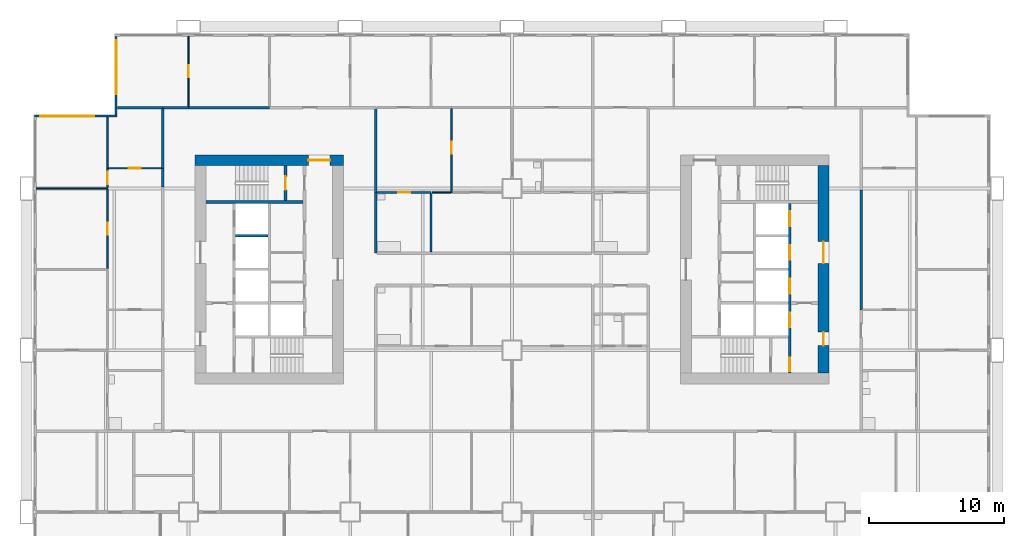
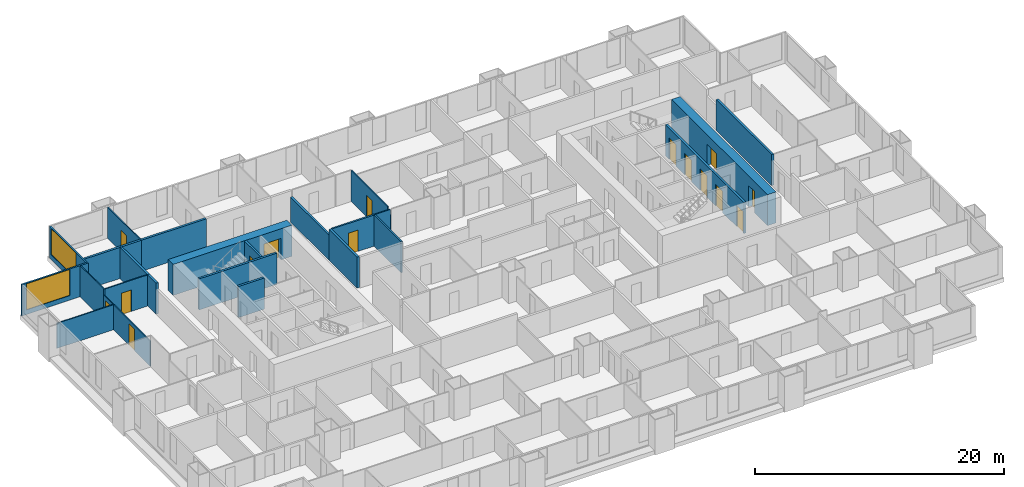
# One storey, part 8 of 14: 27 walls, 15 doors, 2 windows, 17 openings.
"""IFC4 building model written with IfcOpenShell, lengths in metres."""

from ifc_helpers import new_model, si_unit, direction, frame, frame_2d, origin, place, context, subcontext, project, spatial, rectangle, extrude, material, layer, layer_set, type_object, element, fill, save


model = new_model("IFC4")

# Units and contexts
model_context = context("Model", 3, precision=1e-05, world=origin(), true_north=direction((0.0, 1.0)))
body_context = subcontext(model_context, "Body", "Model", "MODEL_VIEW")
ifc_project = project(units=[si_unit("LENGTHUNIT", "METRE"), si_unit("AREAUNIT", "SQUARE_METRE"), si_unit("VOLUMEUNIT", "CUBIC_METRE"), si_unit("PLANEANGLEUNIT", "RADIAN"), si_unit("MASSUNIT", "GRAM", prefix="KILO")], contexts=[model_context])

# Site, building, storey
site_placement = place(None, origin())
site = spatial("IfcSite", under=ifc_project, at=site_placement, CompositionType="ELEMENT")
building_placement = place(site_placement, origin())
building = spatial("IfcBuilding", under=site, at=building_placement, Name="Kitamizu Gate Tower and Museum", CompositionType="ELEMENT")
storey_placement = place(building_placement, frame((0.0, 0.0, 54.14990234375)))
storey = spatial("IfcBuildingStorey", under=building, at=storey_placement, Name="L12", CompositionType="ELEMENT", Elevation=54.14990234375)

# Wall, opening, door
ifc_material_1 = material(Name="Concrete Fc60", Category="concrete")
ifc_layer_1 = layer(ifc_material_1, 0.800048828125)
ifc_layer_set_1 = layer_set([ifc_layer_1], Name="Concrete Fc60")
wall_type_1 = type_object("IfcWallType", Name="Core wall 800", PredefinedType="SHEAR", material=ifc_layer_set_1)
wall_1_placement = place(storey_placement, frame((12.5, 38.10009765625, 0.0), z_axis=(0.0, 0.0, 1.0), x_axis=(1.0, 0.0, 0.0)))
wall_1 = element("IfcWall", 1, at=wall_1_placement, inside=storey, type_object=wall_type_1, Name="Core wall WN", PredefinedType="SHEAR", context=body_context, shape_type="SweptSolid", body=[
    extrude(rectangle(XDim=11.0, YDim=0.800048828125, at=frame_2d((5.5, 0.0))), origin(), (0.0, 0.0, 1.0), 3.050048828125),
])
opening_1_placement = place(wall_1_placement, frame((8.39990234375, 0.0, 0.0)))
opening_1 = element("IfcOpeningElement", 2, at=opening_1_placement, cuts=wall_1, Name="Opening L12-083", PredefinedType="OPENING", context=body_context, shape_type="SweptSolid", body=[
    extrude(rectangle(XDim=1.60009765625, YDim=2.10009765625, at=frame_2d((0.800048828125, 1.050048828125))), frame((0.0, 0.41015625, 0.0), z_axis=(0.0, -1.0, 0.0), x_axis=(1.0, 0.0, 0.0)), (0.0, 0.0, 1.0), 0.820068359375),
])
ifc_material_2 = material(Name="Timber door set", Category="wood")
door_type_1 = type_object("IfcDoorType", Name="Entrance door 1600", OperationType="DOUBLE_DOOR_SINGLE_SWING", PredefinedType="DOOR", material=ifc_material_2)
door_1_placement = place(opening_1_placement, origin())
door_1 = element("IfcDoor", 3, at=door_1_placement, inside=storey, type_object=door_type_1, Name="Lobby door L12-083", OperationType="DOUBLE_DOOR_SINGLE_SWING", OverallHeight=2.10009765625, OverallWidth=1.60009765625, PredefinedType="DOOR", context=body_context, shape_type="SweptSolid", body=[
    extrude(rectangle(XDim=1.60009765625, YDim=2.10009765625, at=frame_2d((0.800048828125, 1.050048828125))), frame((0.0, 0.02490234375, 0.0), z_axis=(0.0, -1.0, 0.0), x_axis=(1.0, 0.0, 0.0)), (0.0, 0.0, 1.0), 0.050048828125),
])
fill(opening_1, door_1)

# Wall, openings, doors
wall_2_placement = place(storey_placement, frame((59.10009765625, 22.300048828125, 0.0), z_axis=(0.0, 0.0, 1.0), x_axis=(0.0, 1.0, 0.0)))
wall_2 = element("IfcWall", 4, at=wall_2_placement, inside=storey, type_object=wall_type_1, Name="Core wall EOUT", PredefinedType="SHEAR", context=body_context, shape_type="SweptSolid", body=[
    extrude(rectangle(XDim=15.39990234375, YDim=0.800048828125, at=frame_2d((7.699951171875, 0.0))), origin(), (0.0, 0.0, 1.0), 3.050048828125),
])
opening_2_placement = place(wall_2_placement, frame((8.14990234375, 0.0, 0.0)))
opening_2 = element("IfcOpeningElement", 5, at=opening_2_placement, cuts=wall_2, Name="Opening L12-093", PredefinedType="OPENING", context=body_context, shape_type="SweptSolid", body=[
    extrude(rectangle(XDim=1.60009765625, YDim=2.10009765625, at=frame_2d((0.800048828125, 1.050048828125))), frame((0.0, 0.41015625, 0.0), z_axis=(0.0, -1.0, 0.0), x_axis=(1.0, 0.0, 0.0)), (0.0, 0.0, 1.0), 0.820068359375),
])
opening_3_placement = place(wall_2_placement, frame((2.050048828125, 0.0, 0.0)))
opening_3 = element("IfcOpeningElement", 6, at=opening_3_placement, cuts=wall_2, Name="Opening L12-094", PredefinedType="OPENING", context=body_context, shape_type="SweptSolid", body=[
    extrude(rectangle(XDim=1.0, YDim=2.10009765625, at=frame_2d((0.5, 1.050048828125))), frame((0.0, 0.41015625, 0.0), z_axis=(0.0, -1.0, 0.0), x_axis=(1.0, 0.0, 0.0)), (0.0, 0.0, 1.0), 0.820068359375),
])
door_2_placement = place(opening_2_placement, origin())
door_2 = element("IfcDoor", 7, at=door_2_placement, inside=storey, type_object=door_type_1, Name="Lobby door L12-093", OperationType="DOUBLE_DOOR_SINGLE_SWING", OverallHeight=2.10009765625, OverallWidth=1.60009765625, PredefinedType="DOOR", context=body_context, shape_type="SweptSolid", body=[
    extrude(rectangle(XDim=1.60009765625, YDim=2.10009765625, at=frame_2d((0.800048828125, 1.050048828125))), frame((0.0, 0.02490234375, 0.0), z_axis=(0.0, -1.0, 0.0), x_axis=(1.0, 0.0, 0.0)), (0.0, 0.0, 1.0), 0.050048828125),
])
fill(opening_2, door_2)
ifc_material_3 = material(Name="Hollow metal door set")
door_type_2 = type_object("IfcDoorType", Name="Fire door 1000", OperationType="NOTDEFINED", PredefinedType="DOOR", material=ifc_material_3)
door_3_placement = place(opening_3_placement, origin())
door_3 = element("IfcDoor", 8, at=door_3_placement, inside=storey, type_object=door_type_2, Name="Fire-fighting lobby door L12-094", OperationType="SINGLE_SWING_RIGHT", OverallHeight=2.10009765625, OverallWidth=1.0, PredefinedType="DOOR", context=body_context, shape_type="SweptSolid", body=[
    extrude(rectangle(XDim=1.0, YDim=2.10009765625, at=frame_2d((0.5, 1.050048828125))), frame((0.0, 0.02490234375, 0.0), z_axis=(0.0, -1.0, 0.0), x_axis=(1.0, 0.0, 0.0)), (0.0, 0.0, 1.0), 0.050048828125),
])
fill(opening_3, door_3)

# Wall, opening, door
ifc_material_4 = material(Name="Gypsum board on galvanised stud")
ifc_layer_2 = layer(ifc_material_4, 0.10009765625)
ifc_layer_set_2 = layer_set([ifc_layer_2], Name="Gypsum board on galvanised stud")
wall_type_2 = type_object("IfcWallType", Name="Partition 100 NOT RATED", PredefinedType="PARTITIONING", material=ifc_layer_set_2)
wall_3_placement = place(storey_placement, frame((12.0, 42.10009765625, 0.0), z_axis=(0.0, 0.0, 1.0), x_axis=(0.0, 1.0, 0.0)))
wall_3 = element("IfcWall", 9, at=wall_3_placement, inside=storey, type_object=wall_type_2, Name="Partition L12-119", PredefinedType="PARTITIONING", context=body_context, shape_type="SweptSolid", body=[
    extrude(rectangle(XDim=5.179931640625, YDim=0.10009765625, at=frame_2d((2.58984375, 0.0))), origin(), (0.0, 0.0, 1.0), 3.050048828125),
])
opening_4_placement = place(wall_3_placement, frame((2.139892578125, 0.0, 0.0)))
opening_4 = element("IfcOpeningElement", 10, at=opening_4_placement, cuts=wall_3, Name="Opening L12-046", PredefinedType="OPENING", context=body_context, shape_type="SweptSolid", body=[
    extrude(rectangle(XDim=0.89990234375, YDim=2.10009765625, at=frame_2d((0.449951171875, 1.050048828125))), frame((0.0, 0.06005859375, 0.0), z_axis=(0.0, -1.0, 0.0), x_axis=(1.0, 0.0, 0.0)), (0.0, 0.0, 1.0), 0.1201171875),
])
ifc_material_5 = material(Name="Timber door set", Category="wood")
door_type_3 = type_object("IfcDoorType", Name="Room door 900", OperationType="NOTDEFINED", PredefinedType="DOOR", material=ifc_material_5)
door_4_placement = place(opening_4_placement, origin())
door_4 = element("IfcDoor", 11, at=door_4_placement, inside=storey, type_object=door_type_3, Name="Door L12-046", OperationType="SINGLE_SWING_LEFT", OverallHeight=2.10009765625, OverallWidth=0.89990234375, PredefinedType="DOOR", context=body_context, shape_type="SweptSolid", body=[
    extrude(rectangle(XDim=0.89990234375, YDim=2.10009765625, at=frame_2d((0.449951171875, 1.050048828125))), frame((0.0, 0.02490234375, 0.0), z_axis=(0.0, -1.0, 0.0), x_axis=(1.0, 0.0, 0.0)), (0.0, 0.0, 1.0), 0.050048828125),
])
fill(opening_4, door_4)

# Wall
wall_4_placement = place(storey_placement, frame((31.5, 35.699951171875, 0.0), z_axis=(0.0, 0.0, 1.0), x_axis=(0.0, 1.0, 0.0)))
element("IfcWall", 12, at=wall_4_placement, inside=storey, type_object=wall_type_2, Name="Partition L12-133", PredefinedType="PARTITIONING", context=body_context, shape_type="SweptSolid", body=[
    extrude(rectangle(XDim=0.400146484375, YDim=0.10009765625, at=frame_2d((0.2001953125, 0.0))), origin(), (0.0, 0.0, 1.0), 2.4501953125),
])

# Wall, opening, door
wall_5_placement = place(storey_placement, frame((31.5, 36.10009765625, 0.0), z_axis=(0.0, 0.0, 1.0), x_axis=(0.0, 1.0, 0.0)))
wall_5 = element("IfcWall", 13, at=wall_5_placement, inside=storey, type_object=wall_type_2, Name="Partition L12-134", PredefinedType="PARTITIONING", context=body_context, shape_type="SweptSolid", body=[
    extrude(rectangle(XDim=5.849853515625, YDim=0.10009765625, at=frame_2d((2.9248046875, 0.0))), origin(), (0.0, 0.0, 1.0), 3.050048828125),
])
opening_5_placement = place(wall_5_placement, frame((2.47509765625, 0.0, 0.0)))
opening_5 = element("IfcOpeningElement", 14, at=opening_5_placement, cuts=wall_5, Name="Opening L12-049", PredefinedType="OPENING", context=body_context, shape_type="SweptSolid", body=[
    extrude(rectangle(XDim=0.89990234375, YDim=2.10009765625, at=frame_2d((0.449951171875, 1.050048828125))), frame((0.0, 0.06005859375, 0.0), z_axis=(0.0, -1.0, 0.0), x_axis=(1.0, 0.0, 0.0)), (0.0, 0.0, 1.0), 0.1201171875),
])
door_5_placement = place(opening_5_placement, frame((0.89990234375, 0.0, 0.0), x_axis=(-1.0, 0.0, 0.0)))
door_5 = element("IfcDoor", 15, at=door_5_placement, inside=storey, type_object=door_type_3, Name="Door L12-049", OperationType="SINGLE_SWING_LEFT", OverallHeight=2.10009765625, OverallWidth=0.89990234375, PredefinedType="DOOR", context=body_context, shape_type="SweptSolid", body=[
    extrude(rectangle(XDim=0.89990234375, YDim=2.10009765625, at=frame_2d((0.449951171875, 1.050048828125))), frame((0.0, 0.02490234375, 0.0), z_axis=(0.0, -1.0, 0.0), x_axis=(1.0, 0.0, 0.0)), (0.0, 0.0, 1.0), 0.050048828125),
])
fill(opening_5, door_5)

# Walls
wall_6_placement = place(storey_placement, frame((30.074951171875, 35.699951171875, 0.0), z_axis=(0.0, 0.0, 1.0), x_axis=(1.0, 0.0, 0.0)))
element("IfcWall", 16, at=wall_6_placement, inside=storey, type_object=wall_type_2, Name="Partition L12-136", PredefinedType="PARTITIONING", context=body_context, shape_type="SweptSolid", body=[
    extrude(rectangle(XDim=1.375, YDim=0.10009765625, at=frame_2d((0.6875, 0.0))), origin(), (0.0, 0.0, 1.0), 3.050048828125),
])
wall_7_placement = place(storey_placement, frame((6.0, 36.0, 0.0), z_axis=(0.0, 0.0, 1.0), x_axis=(-1.0, 0.0, 0.0)))
element("IfcWall", 17, at=wall_7_placement, inside=storey, type_object=wall_type_2, Name="Partition L12-162", PredefinedType="PARTITIONING", context=body_context, shape_type="SweptSolid", body=[
    extrude(rectangle(XDim=5.280029296875, YDim=0.10009765625, at=frame_2d((2.64013671875, 0.0))), origin(), (0.0, 0.0, 1.0), 2.4501953125),
])

# Wall, opening, door
wall_8_placement = place(storey_placement, frame((6.0, 30.050048828125, 0.0), z_axis=(0.0, 0.0, 1.0), x_axis=(0.0, 1.0, 0.0)))
wall_8 = element("IfcWall", 18, at=wall_8_placement, inside=storey, type_object=wall_type_2, Name="Partition L12-163", PredefinedType="PARTITIONING", context=body_context, shape_type="SweptSolid", body=[
    extrude(rectangle(XDim=5.89990234375, YDim=0.10009765625, at=frame_2d((2.949951171875, 0.0))), origin(), (0.0, 0.0, 1.0), 2.4501953125),
])
opening_6_placement = place(wall_8_placement, frame((2.5, 0.0, 0.0)))
opening_6 = element("IfcOpeningElement", 19, at=opening_6_placement, cuts=wall_8, Name="Opening L12-058", PredefinedType="OPENING", context=body_context, shape_type="SweptSolid", body=[
    extrude(rectangle(XDim=0.89990234375, YDim=2.10009765625, at=frame_2d((0.449951171875, 1.050048828125))), frame((0.0, 0.06005859375, 0.0), z_axis=(0.0, -1.0, 0.0), x_axis=(1.0, 0.0, 0.0)), (0.0, 0.0, 1.0), 0.1201171875),
])
door_6_placement = place(opening_6_placement, origin())
door_6 = element("IfcDoor", 20, at=door_6_placement, inside=storey, type_object=door_type_3, Name="Door L12-058", OperationType="SINGLE_SWING_LEFT", OverallHeight=2.10009765625, OverallWidth=0.89990234375, PredefinedType="DOOR", context=body_context, shape_type="SweptSolid", body=[
    extrude(rectangle(XDim=0.89990234375, YDim=2.10009765625, at=frame_2d((0.449951171875, 1.050048828125))), frame((0.0, 0.02490234375, 0.0), z_axis=(0.0, -1.0, 0.0), x_axis=(1.0, 0.0, 0.0)), (0.0, 0.0, 1.0), 0.050048828125),
])
fill(opening_6, door_6)

wall_9_placement = place(storey_placement, frame((6.0, 36.050048828125, 0.0), z_axis=(0.0, 0.0, 1.0), x_axis=(0.0, 1.0, 0.0)))
wall_9 = element("IfcWall", 21, at=wall_9_placement, inside=storey, type_object=wall_type_2, Name="Partition L12-164", PredefinedType="PARTITIONING", context=body_context, shape_type="SweptSolid", body=[
    extrude(rectangle(XDim=1.449951171875, YDim=0.10009765625, at=frame_2d((0.72509765625, 0.0))), origin(), (0.0, 0.0, 1.0), 2.4501953125),
])
opening_7_placement = place(wall_9_placement, frame((0.27490234375, 0.0, 0.0)))
opening_7 = element("IfcOpeningElement", 22, at=opening_7_placement, cuts=wall_9, Name="Opening L12-059", PredefinedType="OPENING", context=body_context, shape_type="SweptSolid", body=[
    extrude(rectangle(XDim=0.89990234375, YDim=2.10009765625, at=frame_2d((0.449951171875, 1.050048828125))), frame((0.0, 0.06005859375, 0.0), z_axis=(0.0, -1.0, 0.0), x_axis=(1.0, 0.0, 0.0)), (0.0, 0.0, 1.0), 0.1201171875),
])
door_7_placement = place(opening_7_placement, origin())
door_7 = element("IfcDoor", 23, at=door_7_placement, inside=storey, type_object=door_type_3, Name="Door L12-059", OperationType="SINGLE_SWING_RIGHT", OverallHeight=2.10009765625, OverallWidth=0.89990234375, PredefinedType="DOOR", context=body_context, shape_type="SweptSolid", body=[
    extrude(rectangle(XDim=0.89990234375, YDim=2.10009765625, at=frame_2d((0.449951171875, 1.050048828125))), frame((0.0, 0.02490234375, 0.0), z_axis=(0.0, -1.0, 0.0), x_axis=(1.0, 0.0, 0.0)), (0.0, 0.0, 1.0), 0.050048828125),
])
fill(opening_7, door_7)

# Wall
wall_10_placement = place(storey_placement, frame((6.0, 37.5, 0.0), z_axis=(0.0, 0.0, 1.0), x_axis=(0.0, 1.0, 0.0)))
element("IfcWall", 24, at=wall_10_placement, inside=storey, type_object=wall_type_2, Name="Partition L12-165", PredefinedType="PARTITIONING", context=body_context, shape_type="SweptSolid", body=[
    extrude(rectangle(XDim=3.780029296875, YDim=0.10009765625, at=frame_2d((1.89013671875, 0.0))), origin(), (0.0, 0.0, 1.0), 3.050048828125),
])

# Wall, opening, door
wall_11_placement = place(storey_placement, frame((10.0, 37.5, 0.0), z_axis=(0.0, 0.0, 1.0), x_axis=(-1.0, 0.0, 0.0)))
wall_11 = element("IfcWall", 25, at=wall_11_placement, inside=storey, type_object=wall_type_2, Name="Partition L12-171", PredefinedType="PARTITIONING", context=body_context, shape_type="SweptSolid", body=[
    extrude(rectangle(XDim=3.949951171875, YDim=0.10009765625, at=frame_2d((1.97509765625, 0.0))), origin(), (0.0, 0.0, 1.0), 3.050048828125),
])
opening_8_placement = place(wall_11_placement, frame((1.52490234375, 0.0, 0.0)))
opening_8 = element("IfcOpeningElement", 26, at=opening_8_placement, cuts=wall_11, Name="Opening L12-062", PredefinedType="OPENING", context=body_context, shape_type="SweptSolid", body=[
    extrude(rectangle(XDim=0.89990234375, YDim=2.10009765625, at=frame_2d((0.449951171875, 1.050048828125))), frame((0.0, 0.06005859375, 0.0), z_axis=(0.0, -1.0, 0.0), x_axis=(1.0, 0.0, 0.0)), (0.0, 0.0, 1.0), 0.1201171875),
])
door_8_placement = place(opening_8_placement, frame((0.89990234375, 0.0, 0.0), x_axis=(-1.0, 0.0, 0.0)))
door_8 = element("IfcDoor", 27, at=door_8_placement, inside=storey, type_object=door_type_3, Name="Door L12-062", OperationType="SINGLE_SWING_LEFT", OverallHeight=2.10009765625, OverallWidth=0.89990234375, PredefinedType="DOOR", context=body_context, shape_type="SweptSolid", body=[
    extrude(rectangle(XDim=0.89990234375, YDim=2.10009765625, at=frame_2d((0.449951171875, 1.050048828125))), frame((0.0, 0.02490234375, 0.0), z_axis=(0.0, -1.0, 0.0), x_axis=(1.0, 0.0, 0.0)), (0.0, 0.0, 1.0), 0.050048828125),
])
fill(opening_8, door_8)

ifc_material_6 = material(Name="Gypsum board on galvanised stud")
ifc_layer_3 = layer(ifc_material_6, 0.14990234375)
ifc_layer_set_3 = layer_set([ifc_layer_3], Name="Gypsum board on galvanised stud")
wall_type_3 = type_object("IfcWallType", Name="Partition 150", PredefinedType="PARTITIONING", material=ifc_layer_set_3)
wall_12_placement = place(storey_placement, frame((26.0, 35.699951171875, 0.0), z_axis=(0.0, 0.0, 1.0), x_axis=(1.0, 0.0, 0.0)))
wall_12 = element("IfcWall", 28, at=wall_12_placement, inside=storey, type_object=wall_type_3, Name="Partition L12-135", PredefinedType="PARTITIONING", context=body_context, shape_type="SweptSolid", body=[
    extrude(rectangle(XDim=4.0, YDim=0.14990234375, at=frame_2d((2.0, 0.0))), origin(), (0.0, 0.0, 1.0), 3.050048828125),
])
opening_9_placement = place(wall_12_placement, frame((1.550048828125, 0.0, 0.0)))
opening_9 = element("IfcOpeningElement", 29, at=opening_9_placement, cuts=wall_12, Name="Opening L12-052", PredefinedType="OPENING", context=body_context, shape_type="SweptSolid", body=[
    extrude(rectangle(XDim=0.89990234375, YDim=2.10009765625, at=frame_2d((0.449951171875, 1.050048828125))), frame((0.0, 0.0849609375, 0.0), z_axis=(0.0, -1.0, 0.0), x_axis=(1.0, 0.0, 0.0)), (0.0, 0.0, 1.0), 0.169921875),
])
ifc_material_7 = material(Name="Timber door set", Category="wood")
door_type_4 = type_object("IfcDoorType", Name="Bathroom door 900", OperationType="NOTDEFINED", PredefinedType="DOOR", material=ifc_material_7)
door_9_placement = place(opening_9_placement, frame((0.89990234375, 0.0, 0.0), x_axis=(-1.0, 0.0, 0.0)))
door_9 = element("IfcDoor", 30, at=door_9_placement, inside=storey, type_object=door_type_4, Name="Bathroom door L12-052", OperationType="SINGLE_SWING_RIGHT", OverallHeight=2.10009765625, OverallWidth=0.89990234375, PredefinedType="DOOR", context=body_context, shape_type="SweptSolid", body=[
    extrude(rectangle(XDim=0.89990234375, YDim=2.10009765625, at=frame_2d((0.449951171875, 1.050048828125))), frame((0.0, 0.02490234375, 0.0), z_axis=(0.0, -1.0, 0.0), x_axis=(1.0, 0.0, 0.0)), (0.0, 0.0, 1.0), 0.050048828125),
])
fill(opening_9, door_9)

# Walls
wall_13_placement = place(storey_placement, frame((30.0, 31.300048828125, 0.0), z_axis=(0.0, 0.0, 1.0), x_axis=(0.0, 1.0, 0.0)))
element("IfcWall", 31, at=wall_13_placement, inside=storey, type_object=wall_type_3, Name="Partition L12-150", PredefinedType="PARTITIONING", context=body_context, shape_type="SweptSolid", body=[
    extrude(rectangle(XDim=4.324951171875, YDim=0.14990234375, at=frame_2d((2.16259765625, 0.0))), origin(), (0.0, 0.0, 1.0), 3.050048828125),
])
ifc_material_8 = material(Name="Gypsum board on galvanised stud")
ifc_layer_4 = layer(ifc_material_8, 0.199951171875)
ifc_layer_set_4 = layer_set([ifc_layer_4], Name="Gypsum board on galvanised stud")
wall_type_4 = type_object("IfcWallType", Name="Partition 200", PredefinedType="PARTITIONING", material=ifc_layer_set_4)
wall_14_placement = place(storey_placement, frame((6.719970703125, 42.0, 0.0), z_axis=(0.0, 0.0, 1.0), x_axis=(1.0, 0.0, 0.0)))
element("IfcWall", 32, at=wall_14_placement, inside=storey, type_object=wall_type_4, Name="Partition L12-120", PredefinedType="PARTITIONING", context=body_context, shape_type="SweptSolid", body=[
    extrude(rectangle(XDim=3.380126953125, YDim=0.199951171875, at=frame_2d((1.68994140625, 0.0))), origin(), (0.0, 0.0, 1.0), 3.050048828125),
])
wall_15_placement = place(storey_placement, frame((10.10009765625, 42.0, 0.0), z_axis=(0.0, 0.0, 1.0), x_axis=(1.0, 0.0, 0.0)))
element("IfcWall", 33, at=wall_15_placement, inside=storey, type_object=wall_type_4, Name="Partition L12-121", PredefinedType="PARTITIONING", context=body_context, shape_type="SweptSolid", body=[
    extrude(rectangle(XDim=1.89990234375, YDim=0.199951171875, at=frame_2d((0.949951171875, 0.0))), origin(), (0.0, 0.0, 1.0), 3.050048828125),
])
wall_16_placement = place(storey_placement, frame((12.0, 42.0, 0.0), z_axis=(0.0, 0.0, 1.0), x_axis=(1.0, 0.0, 0.0)))
element("IfcWall", 34, at=wall_16_placement, inside=storey, type_object=wall_type_4, Name="Partition L12-123", PredefinedType="PARTITIONING", context=body_context, shape_type="SweptSolid", body=[
    extrude(rectangle(XDim=6.0, YDim=0.199951171875, at=frame_2d((3.0, 0.0))), origin(), (0.0, 0.0, 1.0), 3.050048828125),
])
wall_17_placement = place(storey_placement, frame((25.89990234375, 41.89990234375, 0.0), z_axis=(0.0, 0.0, 1.0), x_axis=(0.0, -1.0, 0.0)))
element("IfcWall", 35, at=wall_17_placement, inside=storey, type_object=wall_type_4, Name="Partition L12-137", PredefinedType="PARTITIONING", context=body_context, shape_type="SweptSolid", body=[
    extrude(rectangle(XDim=6.199951171875, YDim=0.199951171875, at=frame_2d((3.10009765625, 0.0))), origin(), (0.0, 0.0, 1.0), 2.4501953125),
])
wall_18_placement = place(storey_placement, frame((25.89990234375, 35.699951171875, 0.0), z_axis=(0.0, 0.0, 1.0), x_axis=(0.0, -1.0, 0.0)))
element("IfcWall", 36, at=wall_18_placement, inside=storey, type_object=wall_type_4, Name="Partition L12-151", PredefinedType="PARTITIONING", context=body_context, shape_type="SweptSolid", body=[
    extrude(rectangle(XDim=4.5, YDim=0.199951171875, at=frame_2d((2.25, 0.0))), origin(), (0.0, 0.0, 1.0), 3.050048828125),
])
wall_19_placement = place(storey_placement, frame((10.10009765625, 36.10009765625, 0.0), z_axis=(0.0, 0.0, 1.0), x_axis=(0.0, 1.0, 0.0)))
element("IfcWall", 37, at=wall_19_placement, inside=storey, type_object=wall_type_4, Name="Partition L12-173", PredefinedType="PARTITIONING", context=body_context, shape_type="SweptSolid", body=[
    extrude(rectangle(XDim=1.39990234375, YDim=0.199951171875, at=frame_2d((0.699951171875, 0.0))), origin(), (0.0, 0.0, 1.0), 3.050048828125),
])
wall_20_placement = place(storey_placement, frame((10.10009765625, 37.5, 0.0), z_axis=(0.0, 0.0, 1.0), x_axis=(0.0, 1.0, 0.0)))
element("IfcWall", 38, at=wall_20_placement, inside=storey, type_object=wall_type_4, Name="Partition L12-174", PredefinedType="PARTITIONING", context=body_context, shape_type="SweptSolid", body=[
    extrude(rectangle(XDim=4.39990234375, YDim=0.199951171875, at=frame_2d((2.199951171875, 0.0))), origin(), (0.0, 0.0, 1.0), 3.050048828125),
])
wall_21_placement = place(storey_placement, frame((61.89990234375, 35.89990234375, 0.0), z_axis=(0.0, 0.0, 1.0), x_axis=(0.0, -1.0, 0.0)))
element("IfcWall", 39, at=wall_21_placement, inside=storey, type_object=wall_type_4, Name="Partition L12-205", PredefinedType="PARTITIONING", context=body_context, shape_type="SweptSolid", body=[
    extrude(rectangle(XDim=8.89990234375, YDim=0.199951171875, at=frame_2d((4.449951171875, 0.0))), origin(), (0.0, 0.0, 1.0), 3.050048828125),
])
ifc_material_9 = material(Name="Concrete Fc42", Category="concrete")
ifc_layer_5 = layer(ifc_material_9, 0.199951171875)
ifc_layer_set_5 = layer_set([ifc_layer_5], Name="Concrete Fc42")
wall_type_5 = type_object("IfcWallType", Name="Shaft wall 200", PredefinedType="SOLIDWALL", material=ifc_layer_set_5)
wall_22_placement = place(storey_placement, frame((13.300048828125, 35.0, 0.0), z_axis=(0.0, 0.0, 1.0), x_axis=(1.0, 0.0, 0.0)))
element("IfcWall", 40, at=wall_22_placement, inside=storey, type_object=wall_type_5, Name="Shaft wall WNB", PredefinedType="SOLIDWALL", context=body_context, shape_type="SweptSolid", body=[
    extrude(rectangle(XDim=7.199951171875, YDim=0.199951171875, at=frame_2d((3.60009765625, 0.0))), origin(), (0.0, 0.0, 1.0), 3.050048828125),
])

# Wall, opening, door
wall_23_placement = place(storey_placement, frame((19.199951171875, 35.10009765625, 0.0), z_axis=(0.0, 0.0, 1.0), x_axis=(0.0, 1.0, 0.0)))
wall_23 = element("IfcWall", 41, at=wall_23_placement, inside=storey, type_object=wall_type_5, Name="Shaft wall WNZ", PredefinedType="SOLIDWALL", context=body_context, shape_type="SweptSolid", body=[
    extrude(rectangle(XDim=2.599853515625, YDim=0.199951171875, at=frame_2d((1.2998046875, 0.0))), origin(), (0.0, 0.0, 1.0), 3.050048828125),
])
opening_10_placement = place(wall_23_placement, frame((0.800048828125, 0.0, 0.0)))
opening_10 = element("IfcOpeningElement", 42, at=opening_10_placement, cuts=wall_23, Name="Opening L12-079", PredefinedType="OPENING", context=body_context, shape_type="SweptSolid", body=[
    extrude(rectangle(XDim=1.0, YDim=2.10009765625, at=frame_2d((0.5, 1.050048828125))), frame((0.0, 0.10986328125, 0.0), z_axis=(0.0, -1.0, 0.0), x_axis=(1.0, 0.0, 0.0)), (0.0, 0.0, 1.0), 0.219970703125),
])
door_10_placement = place(opening_10_placement, origin())
door_10 = element("IfcDoor", 43, at=door_10_placement, inside=storey, type_object=door_type_2, Name="Stair door L12-079", OperationType="SINGLE_SWING_LEFT", OverallHeight=2.10009765625, OverallWidth=1.0, PredefinedType="DOOR", context=body_context, shape_type="SweptSolid", body=[
    extrude(rectangle(XDim=1.0, YDim=2.10009765625, at=frame_2d((0.5, 1.050048828125))), frame((0.0, 0.02490234375, 0.0), z_axis=(0.0, -1.0, 0.0), x_axis=(1.0, 0.0, 0.0)), (0.0, 0.0, 1.0), 0.050048828125),
])
fill(opening_10, door_10)

# Wall
wall_24_placement = place(storey_placement, frame((15.5, 32.5, 0.0), z_axis=(0.0, 0.0, 1.0), x_axis=(1.0, 0.0, 0.0)))
element("IfcWall", 44, at=wall_24_placement, inside=storey, type_object=wall_type_5, Name="Shaft wall WDVW2", PredefinedType="SOLIDWALL", context=body_context, shape_type="SweptSolid", body=[
    extrude(rectangle(XDim=2.39990234375, YDim=0.199951171875, at=frame_2d((1.199951171875, 0.0))), origin(), (0.0, 0.0, 1.0), 3.050048828125),
])

# Wall, openings, doors
wall_25_placement = place(storey_placement, frame((56.60009765625, 22.300048828125, 0.0), z_axis=(0.0, 0.0, 1.0), x_axis=(0.0, 1.0, 0.0)))
wall_25 = element("IfcWall", 45, at=wall_25_placement, inside=storey, type_object=wall_type_5, Name="Shaft wall EWEST", PredefinedType="SOLIDWALL", context=body_context, shape_type="SweptSolid", body=[
    extrude(rectangle(XDim=12.599853515625, YDim=0.199951171875, at=frame_2d((6.2998046875, 0.0))), origin(), (0.0, 0.0, 1.0), 3.050048828125),
])
opening_11_placement = place(wall_25_placement, frame((3.39990234375, 0.0, 0.0)))
opening_11 = element("IfcOpeningElement", 46, at=opening_11_placement, cuts=wall_25, Name="Opening LD", PredefinedType="OPENING", context=body_context, shape_type="SweptSolid", body=[
    extrude(rectangle(XDim=1.10009765625, YDim=2.10009765625, at=frame_2d((0.550048828125, 1.050048828125))), frame((0.0, 0.10986328125, 0.0), z_axis=(0.0, -1.0, 0.0), x_axis=(1.0, 0.0, 0.0)), (0.0, 0.0, 1.0), 0.219970703125),
])
opening_12_placement = place(wall_25_placement, frame((5.89990234375, 0.0, 0.0)))
opening_12 = element("IfcOpeningElement", 47, at=opening_12_placement, cuts=wall_25, Name="Opening LD", PredefinedType="OPENING", context=body_context, shape_type="SweptSolid", body=[
    extrude(rectangle(XDim=1.10009765625, YDim=2.10009765625, at=frame_2d((0.550048828125, 1.050048828125))), frame((0.0, 0.10986328125, 0.0), z_axis=(0.0, -1.0, 0.0), x_axis=(1.0, 0.0, 0.0)), (0.0, 0.0, 1.0), 0.219970703125),
])
opening_13_placement = place(wall_25_placement, frame((8.39990234375, 0.0, 0.0)))
opening_13 = element("IfcOpeningElement", 48, at=opening_13_placement, cuts=wall_25, Name="Opening LD", PredefinedType="OPENING", context=body_context, shape_type="SweptSolid", body=[
    extrude(rectangle(XDim=1.10009765625, YDim=2.10009765625, at=frame_2d((0.550048828125, 1.050048828125))), frame((0.0, 0.10986328125, 0.0), z_axis=(0.0, -1.0, 0.0), x_axis=(1.0, 0.0, 0.0)), (0.0, 0.0, 1.0), 0.219970703125),
])
opening_14_placement = place(wall_25_placement, frame((10.89990234375, 0.0, 0.0)))
opening_14 = element("IfcOpeningElement", 49, at=opening_14_placement, cuts=wall_25, Name="Opening LD", PredefinedType="OPENING", context=body_context, shape_type="SweptSolid", body=[
    extrude(rectangle(XDim=1.10009765625, YDim=2.10009765625, at=frame_2d((0.550048828125, 1.050048828125))), frame((0.0, 0.10986328125, 0.0), z_axis=(0.0, -1.0, 0.0), x_axis=(1.0, 0.0, 0.0)), (0.0, 0.0, 1.0), 0.219970703125),
])
opening_15_placement = place(wall_25_placement, frame((0.14990234375, 0.0, 0.0)))
opening_15 = element("IfcOpeningElement", 50, at=opening_15_placement, cuts=wall_25, Name="Opening L12-089", PredefinedType="OPENING", context=body_context, shape_type="SweptSolid", body=[
    extrude(rectangle(XDim=1.0, YDim=2.10009765625, at=frame_2d((0.5, 1.050048828125))), frame((0.0, 0.10986328125, 0.0), z_axis=(0.0, -1.0, 0.0), x_axis=(1.0, 0.0, 0.0)), (0.0, 0.0, 1.0), 0.219970703125),
])
door_11_placement = place(opening_15_placement, origin())
door_11 = element("IfcDoor", 51, at=door_11_placement, inside=storey, type_object=door_type_2, Name="Stair lobby door L12-089", OperationType="SINGLE_SWING_RIGHT", OverallHeight=2.10009765625, OverallWidth=1.0, PredefinedType="DOOR", context=body_context, shape_type="SweptSolid", body=[
    extrude(rectangle(XDim=1.0, YDim=2.10009765625, at=frame_2d((0.5, 1.050048828125))), frame((0.0, 0.02490234375, 0.0), z_axis=(0.0, -1.0, 0.0), x_axis=(1.0, 0.0, 0.0)), (0.0, 0.0, 1.0), 0.050048828125),
])
fill(opening_15, door_11)
ifc_material_10 = material(Name="Hollow metal door set")
door_type_5 = type_object("IfcDoorType", Name="Landing door 1100", OperationType="SLIDING_TO_LEFT", PredefinedType="DOOR", material=ifc_material_10)
door_12_placement = place(opening_11_placement, origin())
door_12 = element("IfcDoor", 52, at=door_12_placement, inside=storey, type_object=door_type_5, Name="Landing door EFF1", OperationType="SLIDING_TO_LEFT", OverallHeight=2.10009765625, OverallWidth=1.10009765625, PredefinedType="DOOR", context=body_context, shape_type="SweptSolid", body=[
    extrude(rectangle(XDim=1.10009765625, YDim=2.10009765625, at=frame_2d((0.550048828125, 1.050048828125))), frame((0.0, 0.02490234375, 0.0), z_axis=(0.0, -1.0, 0.0), x_axis=(1.0, 0.0, 0.0)), (0.0, 0.0, 1.0), 0.050048828125),
])
fill(opening_11, door_12)
door_13_placement = place(opening_12_placement, origin())
door_13 = element("IfcDoor", 53, at=door_13_placement, inside=storey, type_object=door_type_5, Name="Landing door EL1", OperationType="SLIDING_TO_LEFT", OverallHeight=2.10009765625, OverallWidth=1.10009765625, PredefinedType="DOOR", context=body_context, shape_type="SweptSolid", body=[
    extrude(rectangle(XDim=1.10009765625, YDim=2.10009765625, at=frame_2d((0.550048828125, 1.050048828125))), frame((0.0, 0.02490234375, 0.0), z_axis=(0.0, -1.0, 0.0), x_axis=(1.0, 0.0, 0.0)), (0.0, 0.0, 1.0), 0.050048828125),
])
fill(opening_12, door_13)
door_14_placement = place(opening_13_placement, origin())
door_14 = element("IfcDoor", 54, at=door_14_placement, inside=storey, type_object=door_type_5, Name="Landing door EL2", OperationType="SLIDING_TO_LEFT", OverallHeight=2.10009765625, OverallWidth=1.10009765625, PredefinedType="DOOR", context=body_context, shape_type="SweptSolid", body=[
    extrude(rectangle(XDim=1.10009765625, YDim=2.10009765625, at=frame_2d((0.550048828125, 1.050048828125))), frame((0.0, 0.02490234375, 0.0), z_axis=(0.0, -1.0, 0.0), x_axis=(1.0, 0.0, 0.0)), (0.0, 0.0, 1.0), 0.050048828125),
])
fill(opening_13, door_14)
door_15_placement = place(opening_14_placement, origin())
door_15 = element("IfcDoor", 55, at=door_15_placement, inside=storey, type_object=door_type_5, Name="Landing door EL3", OperationType="SLIDING_TO_LEFT", OverallHeight=2.10009765625, OverallWidth=1.10009765625, PredefinedType="DOOR", context=body_context, shape_type="SweptSolid", body=[
    extrude(rectangle(XDim=1.10009765625, YDim=2.10009765625, at=frame_2d((0.550048828125, 1.050048828125))), frame((0.0, 0.02490234375, 0.0), z_axis=(0.0, -1.0, 0.0), x_axis=(1.0, 0.0, 0.0)), (0.0, 0.0, 1.0), 0.050048828125),
])
fill(opening_14, door_15)

# Wall, opening, window
ifc_material_11 = material(Name="Bronze anodised aluminium frame with insulated spandrel and tinted glass", Category="aluminium")
ifc_layer_6 = layer(ifc_material_11, 0.14990234375)
ifc_layer_set_6 = layer_set([ifc_layer_6], Name="Bronze anodised aluminium frame with insulated spandrel and tinted glass")
wall_type_6 = type_object("IfcWallType", Name="WINDOW WALL 150 BRONZE FRAME EI 30", PredefinedType="ELEMENTEDWALL", material=ifc_layer_set_6)
wall_26_placement = place(storey_placement, frame((6.635009765625, 41.43994140625, 0.0), z_axis=(0.0, 0.0, 1.0), x_axis=(0.0, 1.0, 0.0)))
wall_26 = element("IfcWall", 56, at=wall_26_placement, inside=storey, type_object=wall_type_6, Name="Window wall west L12", PredefinedType="ELEMENTEDWALL", context=body_context, shape_type="SweptSolid", body=[
    extrude(rectangle(XDim=5.85009765625, YDim=0.14990234375, at=frame_2d((2.925048828125, 0.0))), origin(), (0.0, 0.0, 1.0), 3.050048828125),
])
opening_16_placement = place(wall_26_placement, frame((1.56005859375, 0.0, 0.449951171875)))
opening_16 = element("IfcOpeningElement", 57, at=opening_16_placement, cuts=wall_26, Name="Opening W16", PredefinedType="OPENING", context=body_context, shape_type="SweptSolid", body=[
    extrude(rectangle(XDim=4.0, YDim=2.550048828125, at=frame_2d((2.0, 1.27490234375))), frame((0.0, 0.0849609375, 0.0), z_axis=(0.0, -1.0, 0.0), x_axis=(1.0, 0.0, 0.0)), (0.0, 0.0, 1.0), 0.169921875),
])
ifc_material_12 = material(Name="Bronze anodised aluminium frame, tinted triple glazing", Category="aluminium")
window_type = type_object("IfcWindowType", Name="WINDOW 4000 x 2550 SILL 450", PartitioningType="SINGLE_PANEL", PredefinedType="WINDOW", material=ifc_material_12)
window_1_placement = place(opening_16_placement, origin())
window_1 = element("IfcWindow", 58, at=window_1_placement, inside=storey, type_object=window_type, Name="Window W16 L12", OverallHeight=2.550048828125, OverallWidth=4.0, PartitioningType="SINGLE_PANEL", PredefinedType="WINDOW", context=body_context, shape_type="SweptSolid", body=[
    extrude(rectangle(XDim=4.0, YDim=2.550048828125, at=frame_2d((2.0, 1.27490234375))), frame((0.0, 0.030029296875, 0.0), z_axis=(0.0, -1.0, 0.0), x_axis=(1.0, 0.0, 0.0)), (0.0, 0.0, 1.0), 0.06005859375),
])
fill(opening_16, window_1)

wall_27_placement = place(storey_placement, frame((0.56005859375, 41.364990234375, 0.0), z_axis=(0.0, 0.0, 1.0), x_axis=(1.0, 0.0, 0.0)))
wall_27 = element("IfcWall", 59, at=wall_27_placement, inside=storey, type_object=wall_type_6, Name="Window wall north L12", PredefinedType="ELEMENTEDWALL", context=body_context, shape_type="SweptSolid", body=[
    extrude(rectangle(XDim=6.14990234375, YDim=0.14990234375, at=frame_2d((3.074951171875, 0.0))), origin(), (0.0, 0.0, 1.0), 3.050048828125),
])
opening_17_placement = place(wall_27_placement, frame((0.43994140625, 0.0, 0.449951171875)))
opening_17 = element("IfcOpeningElement", 60, at=opening_17_placement, cuts=wall_27, Name="Opening W16", PredefinedType="OPENING", context=body_context, shape_type="SweptSolid", body=[
    extrude(rectangle(XDim=4.0, YDim=2.550048828125, at=frame_2d((2.0, 1.27490234375))), frame((0.0, 0.0849609375, 0.0), z_axis=(0.0, -1.0, 0.0), x_axis=(1.0, 0.0, 0.0)), (0.0, 0.0, 1.0), 0.169921875),
])
window_2_placement = place(opening_17_placement, origin())
window_2 = element("IfcWindow", 61, at=window_2_placement, inside=storey, type_object=window_type, Name="Window W16 L12", OverallHeight=2.550048828125, OverallWidth=4.0, PartitioningType="SINGLE_PANEL", PredefinedType="WINDOW", context=body_context, shape_type="SweptSolid", body=[
    extrude(rectangle(XDim=4.0, YDim=2.550048828125, at=frame_2d((2.0, 1.27490234375))), frame((0.0, 0.030029296875, 0.0), z_axis=(0.0, -1.0, 0.0), x_axis=(1.0, 0.0, 0.0)), (0.0, 0.0, 1.0), 0.06005859375),
])
fill(opening_17, window_2)

save(model, "model.ifc")
